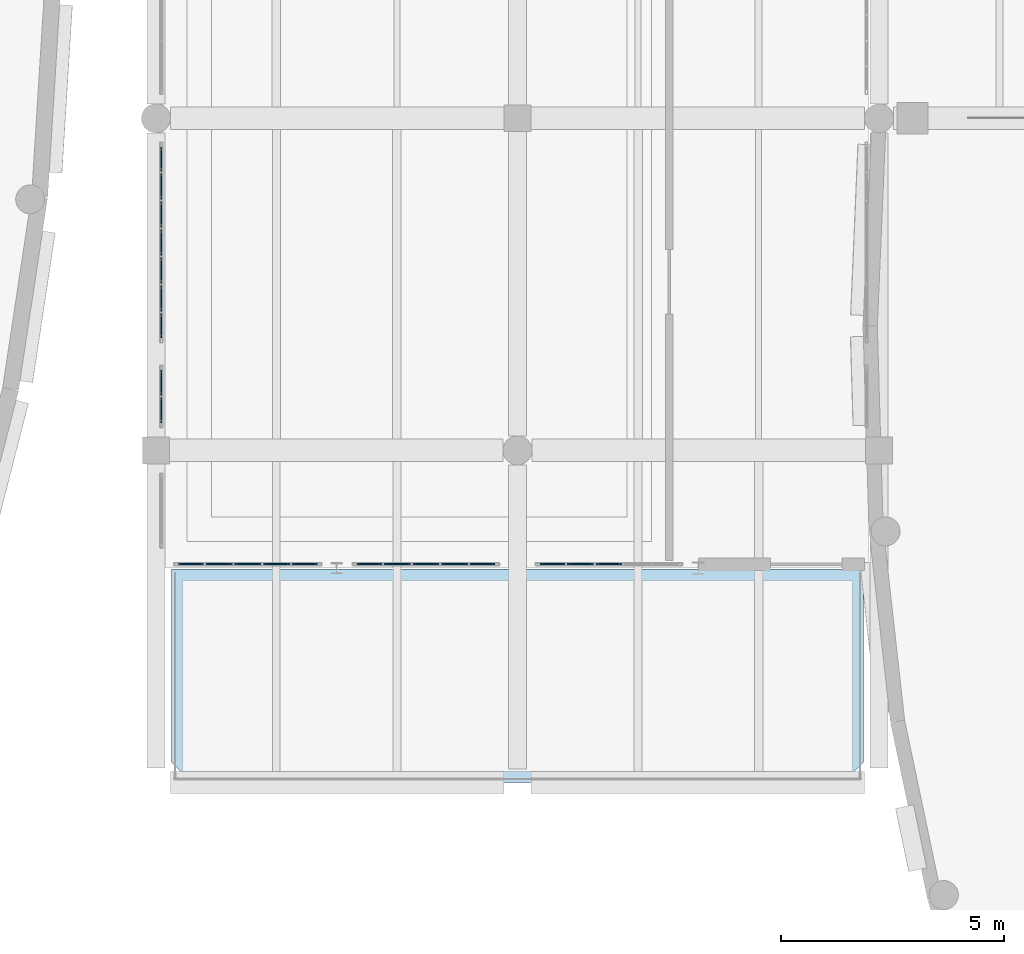
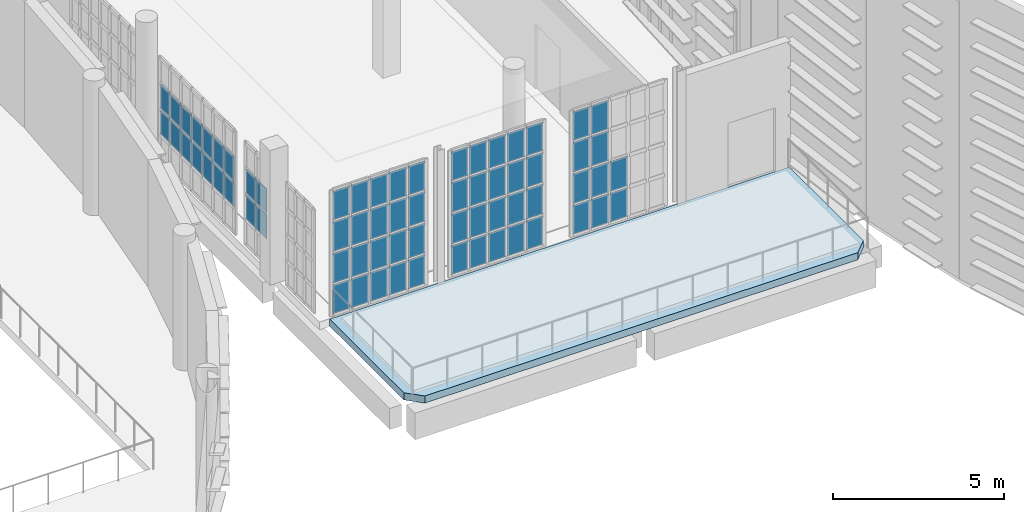
# One storey, part 75 of 104: 68 plates, 1 slab, 5 elements without a shape of their own.
"""IFC4 building model written with IfcOpenShell, lengths in metres."""

from ifc_helpers import new_model, si_unit, direction, frame, origin, origin_2d, place, context, subcontext, project, spatial, polyline, rectangle, outline, extrude, material, layer, layer_set, type_object, element, aggregate, save


model = new_model("IFC4")

# Units and contexts
model_context = context("Model", 3, precision=1e-05, world=origin(), true_north=direction((0.0, 1.0)))
body_context = subcontext(model_context, "Body", "Model", "MODEL_VIEW")
ifc_project = project(units=[si_unit("LENGTHUNIT", "METRE"), si_unit("AREAUNIT", "SQUARE_METRE"), si_unit("VOLUMEUNIT", "CUBIC_METRE"), si_unit("PLANEANGLEUNIT", "RADIAN"), si_unit("MASSUNIT", "GRAM", prefix="KILO")], contexts=[model_context])

# Site, building, storey
site_placement = place(None, origin())
site = spatial("IfcSite", under=ifc_project, at=site_placement, CompositionType="ELEMENT")
building_placement = place(site_placement, origin())
building = spatial("IfcBuilding", under=site, at=building_placement, Name="Kaelora Sail Theatre", CompositionType="ELEMENT")
storey_placement = place(building_placement, frame((0.0, 0.0, 5.39990234375)))
storey = spatial("IfcBuildingStorey", under=building, at=storey_placement, Name="L01", CompositionType="ELEMENT", Elevation=5.39990234375)

# Curtain wall, plates
ifc_material_1 = material(Name="Anodised aluminium and solar-control low-E IGU", Category="aluminium")
curtain_wall_type = type_object("IfcCurtainWallType", Name="ARC-CW-CW-PROW", PredefinedType="NOTDEFINED", material=ifc_material_1)
curtain_wall_1_placement = place(storey_placement, origin())
curtain_wall_1 = element("IfcCurtainWall", 1, at=curtain_wall_1_placement, inside=storey, type_object=curtain_wall_type, Name="East Interstitial Sail Foyer Curtain Wall L01-01", PredefinedType="NOTDEFINED")
ifc_material_2 = material(Name="Solar-control laminated low-E glass", Category="glass")
ifc_layer_1 = layer(ifc_material_2, 0.031982421875)
ifc_layer_set_1 = layer_set([ifc_layer_1], Name="Solar-control laminated low-E glass")
plate_type = type_object("IfcPlateType", Name="ARC-CW-PNL", PredefinedType="CURTAIN_PANEL", material=ifc_layer_set_1)
plate_1_placement = place(storey_placement, frame((107.5869140625, 43.590087890625, 0.0703125), z_axis=(0.0, 0.0, 1.0), x_axis=(1.0, 0.0, 0.0)))
plate_1 = element("IfcPlate", 2, at=plate_1_placement, type_object=plate_type, Name="CW-PROW panel 1.1", PredefinedType="CURTAIN_PANEL", context=body_context, shape_type="SweptSolid", body=[
    extrude(rectangle(XDim=0.553955078125, YDim=0.031982421875, at=origin_2d()), origin(), (0.0, 0.0, 1.0), 1.021240234375),
])
plate_2_placement = place(storey_placement, frame((107.5869140625, 43.590087890625, 1.161376953125), z_axis=(0.0, 0.0, 1.0), x_axis=(1.0, 0.0, 0.0)))
plate_2 = element("IfcPlate", 3, at=plate_2_placement, type_object=plate_type, Name="CW-PROW panel 1.2", PredefinedType="CURTAIN_PANEL", context=body_context, shape_type="SweptSolid", body=[
    extrude(rectangle(XDim=0.553955078125, YDim=0.031982421875, at=origin_2d()), origin(), (0.0, 0.0, 1.0), 1.05615234375),
])
plate_3_placement = place(storey_placement, frame((107.5869140625, 43.590087890625, 2.28759765625), z_axis=(0.0, 0.0, 1.0), x_axis=(1.0, 0.0, 0.0)))
plate_3 = element("IfcPlate", 4, at=plate_3_placement, type_object=plate_type, Name="CW-PROW panel 1.3", PredefinedType="CURTAIN_PANEL", context=body_context, shape_type="SweptSolid", body=[
    extrude(rectangle(XDim=0.553955078125, YDim=0.031982421875, at=origin_2d()), origin(), (0.0, 0.0, 1.0), 1.056396484375),
])
plate_4_placement = place(storey_placement, frame((107.5869140625, 43.590087890625, 3.4140625), z_axis=(0.0, 0.0, 1.0), x_axis=(1.0, 0.0, 0.0)))
plate_4 = element("IfcPlate", 5, at=plate_4_placement, type_object=plate_type, Name="CW-PROW panel 1.4", PredefinedType="CURTAIN_PANEL", context=body_context, shape_type="SweptSolid", body=[
    extrude(rectangle(XDim=0.553955078125, YDim=0.031982421875, at=origin_2d()), origin(), (0.0, 0.0, 1.0), 1.021240234375),
])
plate_5_placement = place(storey_placement, frame((108.216064453125, 43.590087890625, 0.0703125), z_axis=(0.0, 0.0, 1.0), x_axis=(1.0, 0.0, 0.0)))
plate_5 = element("IfcPlate", 6, at=plate_5_placement, type_object=plate_type, Name="CW-PROW panel 2.1", PredefinedType="CURTAIN_PANEL", context=body_context, shape_type="SweptSolid", body=[
    extrude(rectangle(XDim=0.583984375, YDim=0.031982421875, at=origin_2d()), origin(), (0.0, 0.0, 1.0), 1.021240234375),
])
plate_6_placement = place(storey_placement, frame((108.216064453125, 43.590087890625, 1.161376953125), z_axis=(0.0, 0.0, 1.0), x_axis=(1.0, 0.0, 0.0)))
plate_6 = element("IfcPlate", 7, at=plate_6_placement, type_object=plate_type, Name="CW-PROW panel 2.2", PredefinedType="CURTAIN_PANEL", context=body_context, shape_type="SweptSolid", body=[
    extrude(rectangle(XDim=0.583984375, YDim=0.031982421875, at=origin_2d()), origin(), (0.0, 0.0, 1.0), 1.05615234375),
])
plate_7_placement = place(storey_placement, frame((108.216064453125, 43.590087890625, 2.28759765625), z_axis=(0.0, 0.0, 1.0), x_axis=(1.0, 0.0, 0.0)))
plate_7 = element("IfcPlate", 8, at=plate_7_placement, type_object=plate_type, Name="CW-PROW panel 2.3", PredefinedType="CURTAIN_PANEL", context=body_context, shape_type="SweptSolid", body=[
    extrude(rectangle(XDim=0.583984375, YDim=0.031982421875, at=origin_2d()), origin(), (0.0, 0.0, 1.0), 1.056396484375),
])
plate_8_placement = place(storey_placement, frame((108.216064453125, 43.590087890625, 3.4140625), z_axis=(0.0, 0.0, 1.0), x_axis=(1.0, 0.0, 0.0)))
plate_8 = element("IfcPlate", 9, at=plate_8_placement, type_object=plate_type, Name="CW-PROW panel 2.4", PredefinedType="CURTAIN_PANEL", context=body_context, shape_type="SweptSolid", body=[
    extrude(rectangle(XDim=0.583984375, YDim=0.031982421875, at=origin_2d()), origin(), (0.0, 0.0, 1.0), 1.021240234375),
])
plate_9_placement = place(storey_placement, frame((108.860107421875, 43.590087890625, 0.0703125), z_axis=(0.0, 0.0, 1.0), x_axis=(1.0, 0.0, 0.0)))
plate_9 = element("IfcPlate", 10, at=plate_9_placement, type_object=plate_type, Name="CW-PROW panel 3.1", PredefinedType="CURTAIN_PANEL", context=body_context, shape_type="SweptSolid", body=[
    extrude(rectangle(XDim=0.583984375, YDim=0.031982421875, at=origin_2d()), origin(), (0.0, 0.0, 1.0), 1.021240234375),
])
plate_10_placement = place(storey_placement, frame((108.860107421875, 43.590087890625, 1.161376953125), z_axis=(0.0, 0.0, 1.0), x_axis=(1.0, 0.0, 0.0)))
plate_10 = element("IfcPlate", 11, at=plate_10_placement, type_object=plate_type, Name="CW-PROW panel 3.2", PredefinedType="CURTAIN_PANEL", context=body_context, shape_type="SweptSolid", body=[
    extrude(rectangle(XDim=0.583984375, YDim=0.031982421875, at=origin_2d()), origin(), (0.0, 0.0, 1.0), 1.05615234375),
])
plate_11_placement = place(storey_placement, frame((108.860107421875, 43.590087890625, 2.28759765625), z_axis=(0.0, 0.0, 1.0), x_axis=(1.0, 0.0, 0.0)))
plate_11 = element("IfcPlate", 12, at=plate_11_placement, type_object=plate_type, Name="CW-PROW panel 3.3", PredefinedType="CURTAIN_PANEL", context=body_context, shape_type="SweptSolid", body=[
    extrude(rectangle(XDim=0.583984375, YDim=0.031982421875, at=origin_2d()), origin(), (0.0, 0.0, 1.0), 1.056396484375),
])
plate_12_placement = place(storey_placement, frame((108.860107421875, 43.590087890625, 3.4140625), z_axis=(0.0, 0.0, 1.0), x_axis=(1.0, 0.0, 0.0)))
plate_12 = element("IfcPlate", 13, at=plate_12_placement, type_object=plate_type, Name="CW-PROW panel 3.4", PredefinedType="CURTAIN_PANEL", context=body_context, shape_type="SweptSolid", body=[
    extrude(rectangle(XDim=0.583984375, YDim=0.031982421875, at=origin_2d()), origin(), (0.0, 0.0, 1.0), 1.021240234375),
])
plate_13_placement = place(storey_placement, frame((109.50390625, 43.590087890625, 0.0703125), z_axis=(0.0, 0.0, 1.0), x_axis=(1.0, 0.0, 0.0)))
plate_13 = element("IfcPlate", 14, at=plate_13_placement, type_object=plate_type, Name="CW-PROW panel 4.1", PredefinedType="CURTAIN_PANEL", context=body_context, shape_type="SweptSolid", body=[
    extrude(rectangle(XDim=0.583984375, YDim=0.031982421875, at=origin_2d()), origin(), (0.0, 0.0, 1.0), 1.021240234375),
])
plate_14_placement = place(storey_placement, frame((109.50390625, 43.590087890625, 1.161376953125), z_axis=(0.0, 0.0, 1.0), x_axis=(1.0, 0.0, 0.0)))
plate_14 = element("IfcPlate", 15, at=plate_14_placement, type_object=plate_type, Name="CW-PROW panel 4.2", PredefinedType="CURTAIN_PANEL", context=body_context, shape_type="SweptSolid", body=[
    extrude(rectangle(XDim=0.583984375, YDim=0.031982421875, at=origin_2d()), origin(), (0.0, 0.0, 1.0), 1.05615234375),
])
plate_15_placement = place(storey_placement, frame((109.50390625, 43.590087890625, 2.28759765625), z_axis=(0.0, 0.0, 1.0), x_axis=(1.0, 0.0, 0.0)))
plate_15 = element("IfcPlate", 16, at=plate_15_placement, type_object=plate_type, Name="CW-PROW panel 4.3", PredefinedType="CURTAIN_PANEL", context=body_context, shape_type="SweptSolid", body=[
    extrude(rectangle(XDim=0.583984375, YDim=0.031982421875, at=origin_2d()), origin(), (0.0, 0.0, 1.0), 1.056396484375),
])
plate_16_placement = place(storey_placement, frame((109.50390625, 43.590087890625, 3.4140625), z_axis=(0.0, 0.0, 1.0), x_axis=(1.0, 0.0, 0.0)))
plate_16 = element("IfcPlate", 17, at=plate_16_placement, type_object=plate_type, Name="CW-PROW panel 4.4", PredefinedType="CURTAIN_PANEL", context=body_context, shape_type="SweptSolid", body=[
    extrude(rectangle(XDim=0.583984375, YDim=0.031982421875, at=origin_2d()), origin(), (0.0, 0.0, 1.0), 1.021240234375),
])
plate_17_placement = place(storey_placement, frame((110.133056640625, 43.590087890625, 0.0703125), z_axis=(0.0, 0.0, 1.0), x_axis=(1.0, 0.0, 0.0)))
plate_17 = element("IfcPlate", 18, at=plate_17_placement, type_object=plate_type, Name="CW-PROW panel 5.1", PredefinedType="CURTAIN_PANEL", context=body_context, shape_type="SweptSolid", body=[
    extrude(rectangle(XDim=0.553955078125, YDim=0.031982421875, at=origin_2d()), origin(), (0.0, 0.0, 1.0), 1.021240234375),
])
plate_18_placement = place(storey_placement, frame((110.133056640625, 43.590087890625, 1.161376953125), z_axis=(0.0, 0.0, 1.0), x_axis=(1.0, 0.0, 0.0)))
plate_18 = element("IfcPlate", 19, at=plate_18_placement, type_object=plate_type, Name="CW-PROW panel 5.2", PredefinedType="CURTAIN_PANEL", context=body_context, shape_type="SweptSolid", body=[
    extrude(rectangle(XDim=0.553955078125, YDim=0.031982421875, at=origin_2d()), origin(), (0.0, 0.0, 1.0), 1.05615234375),
])
plate_19_placement = place(storey_placement, frame((110.133056640625, 43.590087890625, 2.28759765625), z_axis=(0.0, 0.0, 1.0), x_axis=(1.0, 0.0, 0.0)))
plate_19 = element("IfcPlate", 20, at=plate_19_placement, type_object=plate_type, Name="CW-PROW panel 5.3", PredefinedType="CURTAIN_PANEL", context=body_context, shape_type="SweptSolid", body=[
    extrude(rectangle(XDim=0.553955078125, YDim=0.031982421875, at=origin_2d()), origin(), (0.0, 0.0, 1.0), 1.056396484375),
])
plate_20_placement = place(storey_placement, frame((110.133056640625, 43.590087890625, 3.4140625), z_axis=(0.0, 0.0, 1.0), x_axis=(1.0, 0.0, 0.0)))
plate_20 = element("IfcPlate", 21, at=plate_20_placement, type_object=plate_type, Name="CW-PROW panel 5.4", PredefinedType="CURTAIN_PANEL", context=body_context, shape_type="SweptSolid", body=[
    extrude(rectangle(XDim=0.553955078125, YDim=0.031982421875, at=origin_2d()), origin(), (0.0, 0.0, 1.0), 1.021240234375),
])
aggregate(curtain_wall_1, [plate_1, plate_2, plate_3, plate_4, plate_5, plate_6, plate_7, plate_8, plate_9, plate_10, plate_11, plate_12, plate_13, plate_14, plate_15, plate_16, plate_17, plate_18, plate_19, plate_20])

curtain_wall_2_placement = place(storey_placement, origin())
curtain_wall_2 = element("IfcCurtainWall", 22, at=curtain_wall_2_placement, inside=storey, type_object=curtain_wall_type, Name="East Interstitial Sail Foyer Curtain Wall L01-02", PredefinedType="NOTDEFINED")
plate_21_placement = place(storey_placement, frame((111.5849609375, 43.590087890625, 0.0703125), z_axis=(0.0, 0.0, 1.0), x_axis=(1.0, 0.0, 0.0)))
plate_21 = element("IfcPlate", 23, at=plate_21_placement, type_object=plate_type, Name="CW-PROW panel 1.1", PredefinedType="CURTAIN_PANEL", context=body_context, shape_type="SweptSolid", body=[
    extrude(rectangle(XDim=0.550048828125, YDim=0.031982421875, at=origin_2d()), origin(), (0.0, 0.0, 1.0), 1.021240234375),
])
plate_22_placement = place(storey_placement, frame((111.5849609375, 43.590087890625, 1.161376953125), z_axis=(0.0, 0.0, 1.0), x_axis=(1.0, 0.0, 0.0)))
plate_22 = element("IfcPlate", 24, at=plate_22_placement, type_object=plate_type, Name="CW-PROW panel 1.2", PredefinedType="CURTAIN_PANEL", context=body_context, shape_type="SweptSolid", body=[
    extrude(rectangle(XDim=0.550048828125, YDim=0.031982421875, at=origin_2d()), origin(), (0.0, 0.0, 1.0), 1.05615234375),
])
plate_23_placement = place(storey_placement, frame((111.5849609375, 43.590087890625, 2.28759765625), z_axis=(0.0, 0.0, 1.0), x_axis=(1.0, 0.0, 0.0)))
plate_23 = element("IfcPlate", 25, at=plate_23_placement, type_object=plate_type, Name="CW-PROW panel 1.3", PredefinedType="CURTAIN_PANEL", context=body_context, shape_type="SweptSolid", body=[
    extrude(rectangle(XDim=0.550048828125, YDim=0.031982421875, at=origin_2d()), origin(), (0.0, 0.0, 1.0), 1.056396484375),
])
plate_24_placement = place(storey_placement, frame((111.5849609375, 43.590087890625, 3.4140625), z_axis=(0.0, 0.0, 1.0), x_axis=(1.0, 0.0, 0.0)))
plate_24 = element("IfcPlate", 26, at=plate_24_placement, type_object=plate_type, Name="CW-PROW panel 1.4", PredefinedType="CURTAIN_PANEL", context=body_context, shape_type="SweptSolid", body=[
    extrude(rectangle(XDim=0.550048828125, YDim=0.031982421875, at=origin_2d()), origin(), (0.0, 0.0, 1.0), 1.021240234375),
])
plate_25_placement = place(storey_placement, frame((112.2099609375, 43.590087890625, 0.0703125), z_axis=(0.0, 0.0, 1.0), x_axis=(1.0, 0.0, 0.0)))
plate_25 = element("IfcPlate", 27, at=plate_25_placement, type_object=plate_type, Name="CW-PROW panel 2.1", PredefinedType="CURTAIN_PANEL", context=body_context, shape_type="SweptSolid", body=[
    extrude(rectangle(XDim=0.580078125, YDim=0.031982421875, at=origin_2d()), origin(), (0.0, 0.0, 1.0), 1.021240234375),
])
plate_26_placement = place(storey_placement, frame((112.2099609375, 43.590087890625, 1.161376953125), z_axis=(0.0, 0.0, 1.0), x_axis=(1.0, 0.0, 0.0)))
plate_26 = element("IfcPlate", 28, at=plate_26_placement, type_object=plate_type, Name="CW-PROW panel 2.2", PredefinedType="CURTAIN_PANEL", context=body_context, shape_type="SweptSolid", body=[
    extrude(rectangle(XDim=0.580078125, YDim=0.031982421875, at=origin_2d()), origin(), (0.0, 0.0, 1.0), 1.05615234375),
])
plate_27_placement = place(storey_placement, frame((112.2099609375, 43.590087890625, 2.28759765625), z_axis=(0.0, 0.0, 1.0), x_axis=(1.0, 0.0, 0.0)))
plate_27 = element("IfcPlate", 29, at=plate_27_placement, type_object=plate_type, Name="CW-PROW panel 2.3", PredefinedType="CURTAIN_PANEL", context=body_context, shape_type="SweptSolid", body=[
    extrude(rectangle(XDim=0.580078125, YDim=0.031982421875, at=origin_2d()), origin(), (0.0, 0.0, 1.0), 1.056396484375),
])
plate_28_placement = place(storey_placement, frame((112.2099609375, 43.590087890625, 3.4140625), z_axis=(0.0, 0.0, 1.0), x_axis=(1.0, 0.0, 0.0)))
plate_28 = element("IfcPlate", 30, at=plate_28_placement, type_object=plate_type, Name="CW-PROW panel 2.4", PredefinedType="CURTAIN_PANEL", context=body_context, shape_type="SweptSolid", body=[
    extrude(rectangle(XDim=0.580078125, YDim=0.031982421875, at=origin_2d()), origin(), (0.0, 0.0, 1.0), 1.021240234375),
])
plate_29_placement = place(storey_placement, frame((112.85009765625, 43.590087890625, 0.0703125), z_axis=(0.0, 0.0, 1.0), x_axis=(1.0, 0.0, 0.0)))
plate_29 = element("IfcPlate", 31, at=plate_29_placement, type_object=plate_type, Name="CW-PROW panel 3.1", PredefinedType="CURTAIN_PANEL", context=body_context, shape_type="SweptSolid", body=[
    extrude(rectangle(XDim=0.580078125, YDim=0.031982421875, at=origin_2d()), origin(), (0.0, 0.0, 1.0), 1.021240234375),
])
plate_30_placement = place(storey_placement, frame((112.85009765625, 43.590087890625, 1.161376953125), z_axis=(0.0, 0.0, 1.0), x_axis=(1.0, 0.0, 0.0)))
plate_30 = element("IfcPlate", 32, at=plate_30_placement, type_object=plate_type, Name="CW-PROW panel 3.2", PredefinedType="CURTAIN_PANEL", context=body_context, shape_type="SweptSolid", body=[
    extrude(rectangle(XDim=0.580078125, YDim=0.031982421875, at=origin_2d()), origin(), (0.0, 0.0, 1.0), 1.05615234375),
])
plate_31_placement = place(storey_placement, frame((112.85009765625, 43.590087890625, 2.28759765625), z_axis=(0.0, 0.0, 1.0), x_axis=(1.0, 0.0, 0.0)))
plate_31 = element("IfcPlate", 33, at=plate_31_placement, type_object=plate_type, Name="CW-PROW panel 3.3", PredefinedType="CURTAIN_PANEL", context=body_context, shape_type="SweptSolid", body=[
    extrude(rectangle(XDim=0.580078125, YDim=0.031982421875, at=origin_2d()), origin(), (0.0, 0.0, 1.0), 1.056396484375),
])
plate_32_placement = place(storey_placement, frame((112.85009765625, 43.590087890625, 3.4140625), z_axis=(0.0, 0.0, 1.0), x_axis=(1.0, 0.0, 0.0)))
plate_32 = element("IfcPlate", 34, at=plate_32_placement, type_object=plate_type, Name="CW-PROW panel 3.4", PredefinedType="CURTAIN_PANEL", context=body_context, shape_type="SweptSolid", body=[
    extrude(rectangle(XDim=0.580078125, YDim=0.031982421875, at=origin_2d()), origin(), (0.0, 0.0, 1.0), 1.021240234375),
])
plate_33_placement = place(storey_placement, frame((113.489990234375, 43.590087890625, 0.0703125), z_axis=(0.0, 0.0, 1.0), x_axis=(1.0, 0.0, 0.0)))
plate_33 = element("IfcPlate", 35, at=plate_33_placement, type_object=plate_type, Name="CW-PROW panel 4.1", PredefinedType="CURTAIN_PANEL", context=body_context, shape_type="SweptSolid", body=[
    extrude(rectangle(XDim=0.580078125, YDim=0.031982421875, at=origin_2d()), origin(), (0.0, 0.0, 1.0), 1.021240234375),
])
plate_34_placement = place(storey_placement, frame((113.489990234375, 43.590087890625, 1.161376953125), z_axis=(0.0, 0.0, 1.0), x_axis=(1.0, 0.0, 0.0)))
plate_34 = element("IfcPlate", 36, at=plate_34_placement, type_object=plate_type, Name="CW-PROW panel 4.2", PredefinedType="CURTAIN_PANEL", context=body_context, shape_type="SweptSolid", body=[
    extrude(rectangle(XDim=0.580078125, YDim=0.031982421875, at=origin_2d()), origin(), (0.0, 0.0, 1.0), 1.05615234375),
])
plate_35_placement = place(storey_placement, frame((113.489990234375, 43.590087890625, 2.28759765625), z_axis=(0.0, 0.0, 1.0), x_axis=(1.0, 0.0, 0.0)))
plate_35 = element("IfcPlate", 37, at=plate_35_placement, type_object=plate_type, Name="CW-PROW panel 4.3", PredefinedType="CURTAIN_PANEL", context=body_context, shape_type="SweptSolid", body=[
    extrude(rectangle(XDim=0.580078125, YDim=0.031982421875, at=origin_2d()), origin(), (0.0, 0.0, 1.0), 1.056396484375),
])
plate_36_placement = place(storey_placement, frame((113.489990234375, 43.590087890625, 3.4140625), z_axis=(0.0, 0.0, 1.0), x_axis=(1.0, 0.0, 0.0)))
plate_36 = element("IfcPlate", 38, at=plate_36_placement, type_object=plate_type, Name="CW-PROW panel 4.4", PredefinedType="CURTAIN_PANEL", context=body_context, shape_type="SweptSolid", body=[
    extrude(rectangle(XDim=0.580078125, YDim=0.031982421875, at=origin_2d()), origin(), (0.0, 0.0, 1.0), 1.021240234375),
])
plate_37_placement = place(storey_placement, frame((114.114990234375, 43.590087890625, 0.0703125), z_axis=(0.0, 0.0, 1.0), x_axis=(1.0, 0.0, 0.0)))
plate_37 = element("IfcPlate", 39, at=plate_37_placement, type_object=plate_type, Name="CW-PROW panel 5.1", PredefinedType="CURTAIN_PANEL", context=body_context, shape_type="SweptSolid", body=[
    extrude(rectangle(XDim=0.550048828125, YDim=0.031982421875, at=origin_2d()), origin(), (0.0, 0.0, 1.0), 1.021240234375),
])
plate_38_placement = place(storey_placement, frame((114.114990234375, 43.590087890625, 1.161376953125), z_axis=(0.0, 0.0, 1.0), x_axis=(1.0, 0.0, 0.0)))
plate_38 = element("IfcPlate", 40, at=plate_38_placement, type_object=plate_type, Name="CW-PROW panel 5.2", PredefinedType="CURTAIN_PANEL", context=body_context, shape_type="SweptSolid", body=[
    extrude(rectangle(XDim=0.550048828125, YDim=0.031982421875, at=origin_2d()), origin(), (0.0, 0.0, 1.0), 1.05615234375),
])
plate_39_placement = place(storey_placement, frame((114.114990234375, 43.590087890625, 2.28759765625), z_axis=(0.0, 0.0, 1.0), x_axis=(1.0, 0.0, 0.0)))
plate_39 = element("IfcPlate", 41, at=plate_39_placement, type_object=plate_type, Name="CW-PROW panel 5.3", PredefinedType="CURTAIN_PANEL", context=body_context, shape_type="SweptSolid", body=[
    extrude(rectangle(XDim=0.550048828125, YDim=0.031982421875, at=origin_2d()), origin(), (0.0, 0.0, 1.0), 1.056396484375),
])
plate_40_placement = place(storey_placement, frame((114.114990234375, 43.590087890625, 3.4140625), z_axis=(0.0, 0.0, 1.0), x_axis=(1.0, 0.0, 0.0)))
plate_40 = element("IfcPlate", 42, at=plate_40_placement, type_object=plate_type, Name="CW-PROW panel 5.4", PredefinedType="CURTAIN_PANEL", context=body_context, shape_type="SweptSolid", body=[
    extrude(rectangle(XDim=0.550048828125, YDim=0.031982421875, at=origin_2d()), origin(), (0.0, 0.0, 1.0), 1.021240234375),
])
aggregate(curtain_wall_2, [plate_21, plate_22, plate_23, plate_24, plate_25, plate_26, plate_27, plate_28, plate_29, plate_30, plate_31, plate_32, plate_33, plate_34, plate_35, plate_36, plate_37, plate_38, plate_39, plate_40])

curtain_wall_3_placement = place(storey_placement, origin())
curtain_wall_3 = element("IfcCurtainWall", 43, at=curtain_wall_3_placement, inside=storey, type_object=curtain_wall_type, Name="East Interstitial Sail Foyer Curtain Wall L01-03", PredefinedType="NOTDEFINED")
plate_41_placement = place(storey_placement, frame((115.68505859375, 43.590087890625, 0.0703125), z_axis=(0.0, 0.0, 1.0), x_axis=(1.0, 0.0, 0.0)))
plate_41 = element("IfcPlate", 44, at=plate_41_placement, type_object=plate_type, Name="CW-PROW panel 1.1", PredefinedType="CURTAIN_PANEL", context=body_context, shape_type="SweptSolid", body=[
    extrude(rectangle(XDim=0.550048828125, YDim=0.031982421875, at=origin_2d()), origin(), (0.0, 0.0, 1.0), 1.021240234375),
])
plate_42_placement = place(storey_placement, frame((115.68505859375, 43.590087890625, 1.161376953125), z_axis=(0.0, 0.0, 1.0), x_axis=(1.0, 0.0, 0.0)))
plate_42 = element("IfcPlate", 45, at=plate_42_placement, type_object=plate_type, Name="CW-PROW panel 1.2", PredefinedType="CURTAIN_PANEL", context=body_context, shape_type="SweptSolid", body=[
    extrude(rectangle(XDim=0.550048828125, YDim=0.031982421875, at=origin_2d()), origin(), (0.0, 0.0, 1.0), 1.05615234375),
])
plate_43_placement = place(storey_placement, frame((115.68505859375, 43.590087890625, 2.28759765625), z_axis=(0.0, 0.0, 1.0), x_axis=(1.0, 0.0, 0.0)))
plate_43 = element("IfcPlate", 46, at=plate_43_placement, type_object=plate_type, Name="CW-PROW panel 1.3", PredefinedType="CURTAIN_PANEL", context=body_context, shape_type="SweptSolid", body=[
    extrude(rectangle(XDim=0.550048828125, YDim=0.031982421875, at=origin_2d()), origin(), (0.0, 0.0, 1.0), 1.056396484375),
])
plate_44_placement = place(storey_placement, frame((115.68505859375, 43.590087890625, 3.4140625), z_axis=(0.0, 0.0, 1.0), x_axis=(1.0, 0.0, 0.0)))
plate_44 = element("IfcPlate", 47, at=plate_44_placement, type_object=plate_type, Name="CW-PROW panel 1.4", PredefinedType="CURTAIN_PANEL", context=body_context, shape_type="SweptSolid", body=[
    extrude(rectangle(XDim=0.550048828125, YDim=0.031982421875, at=origin_2d()), origin(), (0.0, 0.0, 1.0), 1.021240234375),
])
plate_45_placement = place(storey_placement, frame((116.31005859375, 43.590087890625, 0.0703125), z_axis=(0.0, 0.0, 1.0), x_axis=(1.0, 0.0, 0.0)))
plate_45 = element("IfcPlate", 48, at=plate_45_placement, type_object=plate_type, Name="CW-PROW panel 2.1", PredefinedType="CURTAIN_PANEL", context=body_context, shape_type="SweptSolid", body=[
    extrude(rectangle(XDim=0.580078125, YDim=0.031982421875, at=origin_2d()), origin(), (0.0, 0.0, 1.0), 1.021240234375),
])
plate_46_placement = place(storey_placement, frame((116.31005859375, 43.590087890625, 1.161376953125), z_axis=(0.0, 0.0, 1.0), x_axis=(1.0, 0.0, 0.0)))
plate_46 = element("IfcPlate", 49, at=plate_46_placement, type_object=plate_type, Name="CW-PROW panel 2.2", PredefinedType="CURTAIN_PANEL", context=body_context, shape_type="SweptSolid", body=[
    extrude(rectangle(XDim=0.580078125, YDim=0.031982421875, at=origin_2d()), origin(), (0.0, 0.0, 1.0), 1.05615234375),
])
plate_47_placement = place(storey_placement, frame((116.31005859375, 43.590087890625, 2.28759765625), z_axis=(0.0, 0.0, 1.0), x_axis=(1.0, 0.0, 0.0)))
plate_47 = element("IfcPlate", 50, at=plate_47_placement, type_object=plate_type, Name="CW-PROW panel 2.3", PredefinedType="CURTAIN_PANEL", context=body_context, shape_type="SweptSolid", body=[
    extrude(rectangle(XDim=0.580078125, YDim=0.031982421875, at=origin_2d()), origin(), (0.0, 0.0, 1.0), 1.056396484375),
])
plate_48_placement = place(storey_placement, frame((116.31005859375, 43.590087890625, 3.4140625), z_axis=(0.0, 0.0, 1.0), x_axis=(1.0, 0.0, 0.0)))
plate_48 = element("IfcPlate", 51, at=plate_48_placement, type_object=plate_type, Name="CW-PROW panel 2.4", PredefinedType="CURTAIN_PANEL", context=body_context, shape_type="SweptSolid", body=[
    extrude(rectangle(XDim=0.580078125, YDim=0.031982421875, at=origin_2d()), origin(), (0.0, 0.0, 1.0), 1.021240234375),
])
plate_49_placement = place(storey_placement, frame((116.949951171875, 43.590087890625, 0.0703125), z_axis=(0.0, 0.0, 1.0), x_axis=(1.0, 0.0, 0.0)))
plate_49 = element("IfcPlate", 52, at=plate_49_placement, type_object=plate_type, Name="CW-PROW panel 3.1", PredefinedType="CURTAIN_PANEL", context=body_context, shape_type="SweptSolid", body=[
    extrude(rectangle(XDim=0.580078125, YDim=0.031982421875, at=origin_2d()), origin(), (0.0, 0.0, 1.0), 1.021240234375),
])
plate_50_placement = place(storey_placement, frame((116.949951171875, 43.590087890625, 1.161376953125), z_axis=(0.0, 0.0, 1.0), x_axis=(1.0, 0.0, 0.0)))
plate_50 = element("IfcPlate", 53, at=plate_50_placement, type_object=plate_type, Name="CW-PROW panel 3.2", PredefinedType="CURTAIN_PANEL", context=body_context, shape_type="SweptSolid", body=[
    extrude(rectangle(XDim=0.580078125, YDim=0.031982421875, at=origin_2d()), origin(), (0.0, 0.0, 1.0), 1.05615234375),
])
aggregate(curtain_wall_3, [plate_41, plate_42, plate_43, plate_44, plate_45, plate_46, plate_47, plate_48, plate_49, plate_50])

curtain_wall_4_placement = place(storey_placement, origin())
curtain_wall_4 = element("IfcCurtainWall", 54, at=curtain_wall_4_placement, inside=storey, type_object=curtain_wall_type, Name="East Interstitial Foyer West Glazed Return L01-01", PredefinedType="NOTDEFINED")
plate_51_placement = place(storey_placement, frame((106.919921875, 47.0400390625, 0.95703125), z_axis=(0.0, 0.0, 1.0), x_axis=(0.0, 1.0, 0.0)))
plate_51 = element("IfcPlate", 55, at=plate_51_placement, type_object=plate_type, Name="CW-PROW panel 1.2", PredefinedType="CURTAIN_PANEL", context=body_context, shape_type="SweptSolid", body=[
    extrude(rectangle(XDim=0.56005859375, YDim=0.031982421875, at=origin_2d()), origin(), (0.0, 0.0, 1.0), 0.851806640625),
])
plate_52_placement = place(storey_placement, frame((106.919921875, 47.0400390625, 1.87841796875), z_axis=(0.0, 0.0, 1.0), x_axis=(0.0, 1.0, 0.0)))
plate_52 = element("IfcPlate", 56, at=plate_52_placement, type_object=plate_type, Name="CW-PROW panel 1.3", PredefinedType="CURTAIN_PANEL", context=body_context, shape_type="SweptSolid", body=[
    extrude(rectangle(XDim=0.56005859375, YDim=0.031982421875, at=origin_2d()), origin(), (0.0, 0.0, 1.0), 0.851806640625),
])
plate_53_placement = place(storey_placement, frame((106.919921875, 47.659912109375, 0.95703125), z_axis=(0.0, 0.0, 1.0), x_axis=(0.0, 1.0, 0.0)))
plate_53 = element("IfcPlate", 57, at=plate_53_placement, type_object=plate_type, Name="CW-PROW panel 2.2", PredefinedType="CURTAIN_PANEL", context=body_context, shape_type="SweptSolid", body=[
    extrude(rectangle(XDim=0.56005859375, YDim=0.031982421875, at=origin_2d()), origin(), (0.0, 0.0, 1.0), 0.851806640625),
])
plate_54_placement = place(storey_placement, frame((106.919921875, 47.659912109375, 1.87841796875), z_axis=(0.0, 0.0, 1.0), x_axis=(0.0, 1.0, 0.0)))
plate_54 = element("IfcPlate", 58, at=plate_54_placement, type_object=plate_type, Name="CW-PROW panel 2.3", PredefinedType="CURTAIN_PANEL", context=body_context, shape_type="SweptSolid", body=[
    extrude(rectangle(XDim=0.56005859375, YDim=0.031982421875, at=origin_2d()), origin(), (0.0, 0.0, 1.0), 0.851806640625),
])
aggregate(curtain_wall_4, [plate_51, plate_52, plate_53, plate_54])

curtain_wall_5_placement = place(storey_placement, origin())
curtain_wall_5 = element("IfcCurtainWall", 59, at=curtain_wall_5_placement, inside=storey, type_object=curtain_wall_type, Name="East Interstitial Foyer West Glazed Return L01-02", PredefinedType="NOTDEFINED")
plate_55_placement = place(storey_placement, frame((106.919921875, 48.928955078125, 0.95703125), z_axis=(0.0, 0.0, 1.0), x_axis=(0.0, 1.0, 0.0)))
plate_55 = element("IfcPlate", 60, at=plate_55_placement, type_object=plate_type, Name="CW-PROW panel 1.2", PredefinedType="CURTAIN_PANEL", context=body_context, shape_type="SweptSolid", body=[
    extrude(rectangle(XDim=0.537841796875, YDim=0.031982421875, at=origin_2d()), origin(), (0.0, 0.0, 1.0), 0.851806640625),
])
plate_56_placement = place(storey_placement, frame((106.919921875, 48.928955078125, 1.87841796875), z_axis=(0.0, 0.0, 1.0), x_axis=(0.0, 1.0, 0.0)))
plate_56 = element("IfcPlate", 61, at=plate_56_placement, type_object=plate_type, Name="CW-PROW panel 1.3", PredefinedType="CURTAIN_PANEL", context=body_context, shape_type="SweptSolid", body=[
    extrude(rectangle(XDim=0.537841796875, YDim=0.031982421875, at=origin_2d()), origin(), (0.0, 0.0, 1.0), 0.851806640625),
])
plate_57_placement = place(storey_placement, frame((106.919921875, 49.541748046875, 0.95703125), z_axis=(0.0, 0.0, 1.0), x_axis=(0.0, 1.0, 0.0)))
plate_57 = element("IfcPlate", 62, at=plate_57_placement, type_object=plate_type, Name="CW-PROW panel 2.2", PredefinedType="CURTAIN_PANEL", context=body_context, shape_type="SweptSolid", body=[
    extrude(rectangle(XDim=0.56787109375, YDim=0.031982421875, at=origin_2d()), origin(), (0.0, 0.0, 1.0), 0.851806640625),
])
plate_58_placement = place(storey_placement, frame((106.919921875, 49.541748046875, 1.87841796875), z_axis=(0.0, 0.0, 1.0), x_axis=(0.0, 1.0, 0.0)))
plate_58 = element("IfcPlate", 63, at=plate_58_placement, type_object=plate_type, Name="CW-PROW panel 2.3", PredefinedType="CURTAIN_PANEL", context=body_context, shape_type="SweptSolid", body=[
    extrude(rectangle(XDim=0.56787109375, YDim=0.031982421875, at=origin_2d()), origin(), (0.0, 0.0, 1.0), 0.851806640625),
])
plate_59_placement = place(storey_placement, frame((106.919921875, 50.169677734375, 0.95703125), z_axis=(0.0, 0.0, 1.0), x_axis=(0.0, 1.0, 0.0)))
plate_59 = element("IfcPlate", 64, at=plate_59_placement, type_object=plate_type, Name="CW-PROW panel 3.2", PredefinedType="CURTAIN_PANEL", context=body_context, shape_type="SweptSolid", body=[
    extrude(rectangle(XDim=0.56787109375, YDim=0.031982421875, at=origin_2d()), origin(), (0.0, 0.0, 1.0), 0.851806640625),
])
plate_60_placement = place(storey_placement, frame((106.919921875, 50.169677734375, 1.87841796875), z_axis=(0.0, 0.0, 1.0), x_axis=(0.0, 1.0, 0.0)))
plate_60 = element("IfcPlate", 65, at=plate_60_placement, type_object=plate_type, Name="CW-PROW panel 3.3", PredefinedType="CURTAIN_PANEL", context=body_context, shape_type="SweptSolid", body=[
    extrude(rectangle(XDim=0.56787109375, YDim=0.031982421875, at=origin_2d()), origin(), (0.0, 0.0, 1.0), 0.851806640625),
])
plate_61_placement = place(storey_placement, frame((106.919921875, 50.797607421875, 0.95703125), z_axis=(0.0, 0.0, 1.0), x_axis=(0.0, 1.0, 0.0)))
plate_61 = element("IfcPlate", 66, at=plate_61_placement, type_object=plate_type, Name="CW-PROW panel 4.2", PredefinedType="CURTAIN_PANEL", context=body_context, shape_type="SweptSolid", body=[
    extrude(rectangle(XDim=0.56787109375, YDim=0.031982421875, at=origin_2d()), origin(), (0.0, 0.0, 1.0), 0.851806640625),
])
plate_62_placement = place(storey_placement, frame((106.919921875, 50.797607421875, 1.87841796875), z_axis=(0.0, 0.0, 1.0), x_axis=(0.0, 1.0, 0.0)))
plate_62 = element("IfcPlate", 67, at=plate_62_placement, type_object=plate_type, Name="CW-PROW panel 4.3", PredefinedType="CURTAIN_PANEL", context=body_context, shape_type="SweptSolid", body=[
    extrude(rectangle(XDim=0.56787109375, YDim=0.031982421875, at=origin_2d()), origin(), (0.0, 0.0, 1.0), 0.851806640625),
])
plate_63_placement = place(storey_placement, frame((106.919921875, 51.42529296875, 0.95703125), z_axis=(0.0, 0.0, 1.0), x_axis=(0.0, 1.0, 0.0)))
plate_63 = element("IfcPlate", 68, at=plate_63_placement, type_object=plate_type, Name="CW-PROW panel 5.2", PredefinedType="CURTAIN_PANEL", context=body_context, shape_type="SweptSolid", body=[
    extrude(rectangle(XDim=0.56787109375, YDim=0.031982421875, at=origin_2d()), origin(), (0.0, 0.0, 1.0), 0.851806640625),
])
plate_64_placement = place(storey_placement, frame((106.919921875, 51.42529296875, 1.87841796875), z_axis=(0.0, 0.0, 1.0), x_axis=(0.0, 1.0, 0.0)))
plate_64 = element("IfcPlate", 69, at=plate_64_placement, type_object=plate_type, Name="CW-PROW panel 5.3", PredefinedType="CURTAIN_PANEL", context=body_context, shape_type="SweptSolid", body=[
    extrude(rectangle(XDim=0.56787109375, YDim=0.031982421875, at=origin_2d()), origin(), (0.0, 0.0, 1.0), 0.851806640625),
])
plate_65_placement = place(storey_placement, frame((106.919921875, 52.05322265625, 0.95703125), z_axis=(0.0, 0.0, 1.0), x_axis=(0.0, 1.0, 0.0)))
plate_65 = element("IfcPlate", 70, at=plate_65_placement, type_object=plate_type, Name="CW-PROW panel 6.2", PredefinedType="CURTAIN_PANEL", context=body_context, shape_type="SweptSolid", body=[
    extrude(rectangle(XDim=0.56787109375, YDim=0.031982421875, at=origin_2d()), origin(), (0.0, 0.0, 1.0), 0.851806640625),
])
plate_66_placement = place(storey_placement, frame((106.919921875, 52.05322265625, 1.87841796875), z_axis=(0.0, 0.0, 1.0), x_axis=(0.0, 1.0, 0.0)))
plate_66 = element("IfcPlate", 71, at=plate_66_placement, type_object=plate_type, Name="CW-PROW panel 6.3", PredefinedType="CURTAIN_PANEL", context=body_context, shape_type="SweptSolid", body=[
    extrude(rectangle(XDim=0.56787109375, YDim=0.031982421875, at=origin_2d()), origin(), (0.0, 0.0, 1.0), 0.851806640625),
])
plate_67_placement = place(storey_placement, frame((106.919921875, 52.666015625, 0.95703125), z_axis=(0.0, 0.0, 1.0), x_axis=(0.0, 1.0, 0.0)))
plate_67 = element("IfcPlate", 72, at=plate_67_placement, type_object=plate_type, Name="CW-PROW panel 7.2", PredefinedType="CURTAIN_PANEL", context=body_context, shape_type="SweptSolid", body=[
    extrude(rectangle(XDim=0.537841796875, YDim=0.031982421875, at=origin_2d()), origin(), (0.0, 0.0, 1.0), 0.851806640625),
])
plate_68_placement = place(storey_placement, frame((106.919921875, 52.666015625, 1.87841796875), z_axis=(0.0, 0.0, 1.0), x_axis=(0.0, 1.0, 0.0)))
plate_68 = element("IfcPlate", 73, at=plate_68_placement, type_object=plate_type, Name="CW-PROW panel 7.3", PredefinedType="CURTAIN_PANEL", context=body_context, shape_type="SweptSolid", body=[
    extrude(rectangle(XDim=0.537841796875, YDim=0.031982421875, at=origin_2d()), origin(), (0.0, 0.0, 1.0), 0.851806640625),
])
aggregate(curtain_wall_5, [plate_55, plate_56, plate_57, plate_58, plate_59, plate_60, plate_61, plate_62, plate_63, plate_64, plate_65, plate_66, plate_67, plate_68])

# Slab
ifc_material_3 = material(Name="Concrete C40/50", Category="concrete")
ifc_layer_2 = layer(ifc_material_3, 0.2548828125)
ifc_layer_set_2 = layer_set([ifc_layer_2], Name="Concrete C40/50")
slab_type = type_object("IfcSlabType", Name="STR-SLB-SL-TR255", PredefinedType="FLOOR", material=ifc_layer_set_2)
slab_placement = place(storey_placement, frame((0.0, 0.0, -0.2548828125)))
element("IfcSlab", 74, at=slab_placement, inside=storey, type_object=slab_type, Name="First Step East Inter-Sail Planted Podium Terrace", PredefinedType="FLOOR", context=body_context, shape_type="SweptSolid", body=[
    extrude(outline(polyline([(107.60009765625, 38.699951171875), (122.199951171875, 38.699951171875), (122.64990234375, 39.14990234375), (122.64990234375, 43.47998046875), (107.14990234375, 43.47998046875), (107.14990234375, 39.14990234375), (107.60009765625, 38.699951171875)])), origin(), (0.0, 0.0, 1.0), 0.2548828125),
])

save(model, "model.ifc")
